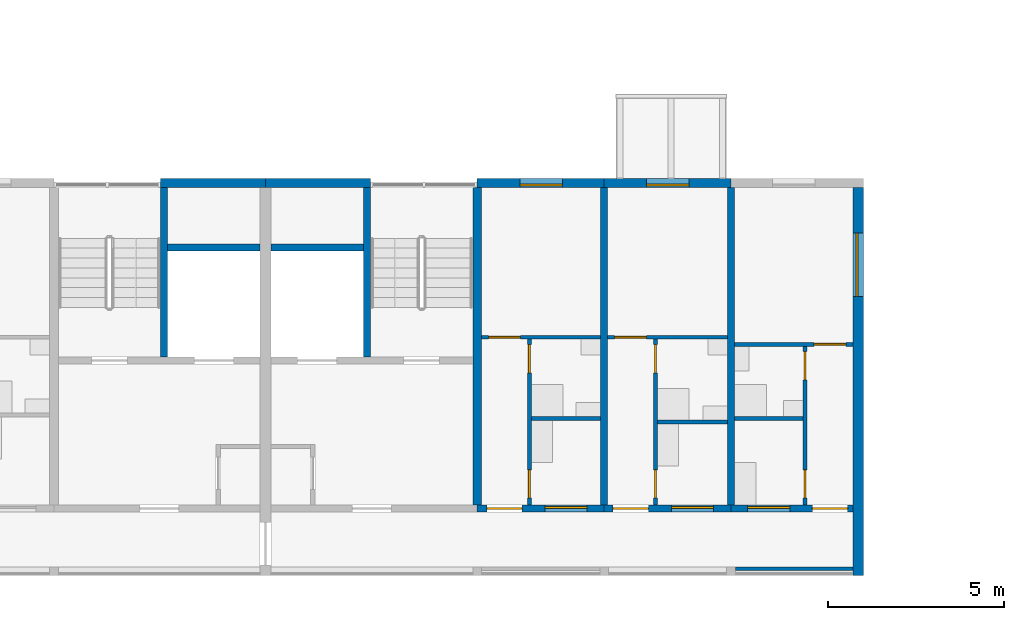
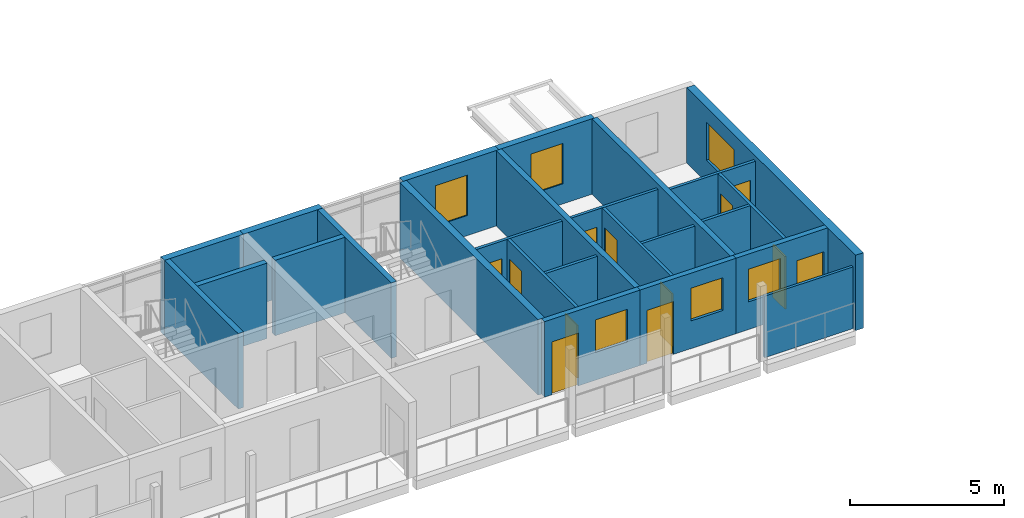
# One storey, part 39 of 94: 25 walls, 12 doors, 6 windows, 18 openings.
"""IFC4 building model written with IfcOpenShell, lengths in metres."""

from ifc_helpers import new_model, si_unit, direction, frame, frame_2d, origin, place, context, subcontext, project, spatial, rectangle, extrude, material, layer, layer_set, type_object, element, fill, save


model = new_model("IFC4")

# Units and contexts
model_context = context("Model", 3, precision=1e-05, world=origin(), true_north=direction((0.0, 1.0)))
body_context = subcontext(model_context, "Body", "Model", "MODEL_VIEW")
ifc_project = project(units=[si_unit("LENGTHUNIT", "METRE"), si_unit("AREAUNIT", "SQUARE_METRE"), si_unit("VOLUMEUNIT", "CUBIC_METRE"), si_unit("PLANEANGLEUNIT", "RADIAN"), si_unit("MASSUNIT", "GRAM", prefix="KILO")], contexts=[model_context])

# Site, building, storey
site_placement = place(None, origin())
site = spatial("IfcSite", under=ifc_project, at=site_placement, CompositionType="ELEMENT")
building_placement = place(site_placement, origin())
building = spatial("IfcBuilding", under=site, at=building_placement, Name="Ridgestep Commons", CompositionType="ELEMENT")
storey_placement = place(building_placement, frame((0.0, 0.0, 21.0)))
storey = spatial("IfcBuildingStorey", under=building, at=storey_placement, Name="L07", CompositionType="ELEMENT", Elevation=21.0)

# Walls
ifc_material_1 = material(Name="Concrete C30/37", Category="concrete")
ifc_layer_1 = layer(ifc_material_1, 0.25)
ifc_layer_set_1 = layer_set([ifc_layer_1], Name="Core cross wall 250")
wall_type_1 = type_object("IfcWallType", Name="Core cross wall 250", PredefinedType="SHEAR", material=ifc_layer_set_1)
wall_1_placement = place(storey_placement, frame((102.0, 13.75, 0.0), z_axis=(0.0, 0.0, 1.0), x_axis=(0.0, 1.0, 0.0)))
element("IfcWall", 1, at=wall_1_placement, inside=storey, type_object=wall_type_1, Name="Cross wall A-07-1020", PredefinedType="SHEAR", context=body_context, shape_type="SweptSolid", body=[
    extrude(rectangle(XDim=9.0, YDim=0.25, at=frame_2d((4.5, 0.0))), origin(), (0.0, 0.0, 1.0), 3.0),
])
ifc_material_2 = material(Name="Concrete C30/37", Category="concrete")
ifc_layer_2 = layer(ifc_material_2, 0.199951171875)
ifc_layer_set_2 = layer_set([ifc_layer_2], Name="Core wall 200")
wall_type_2 = type_object("IfcWallType", Name="Core wall 200", PredefinedType="SHEAR", material=ifc_layer_set_2)
wall_2_placement = place(storey_placement, frame((93.125, 17.949951171875, 0.0), z_axis=(0.0, 0.0, 1.0), x_axis=(0.0, 1.0, 0.0)))
element("IfcWall", 2, at=wall_2_placement, inside=storey, type_object=wall_type_2, Name="Core stair wall A5C L07", PredefinedType="SHEAR", context=body_context, shape_type="SweptSolid", body=[
    extrude(rectangle(XDim=4.800048828125, YDim=0.199951171875, at=frame_2d((2.39990234375, 0.0))), origin(), (0.0, 0.0, 1.0), 3.0),
])
wall_3_placement = place(storey_placement, frame((93.22509765625, 21.050048828125, 0.0), z_axis=(0.0, 0.0, 1.0), x_axis=(1.0, 0.0, 0.0)))
element("IfcWall", 3, at=wall_3_placement, inside=storey, type_object=wall_type_2, Name="Core duct wall A5C L07", PredefinedType="SHEAR", context=body_context, shape_type="SweptSolid", body=[
    extrude(rectangle(XDim=2.625, YDim=0.199951171875, at=frame_2d((1.3125, 0.0))), origin(), (0.0, 0.0, 1.0), 3.0),
])
wall_4_placement = place(storey_placement, frame((98.875, 17.949951171875, 0.0), z_axis=(0.0, 0.0, 1.0), x_axis=(0.0, 1.0, 0.0)))
element("IfcWall", 4, at=wall_4_placement, inside=storey, type_object=wall_type_2, Name="Core stair wall A6C L07", PredefinedType="SHEAR", context=body_context, shape_type="SweptSolid", body=[
    extrude(rectangle(XDim=4.800048828125, YDim=0.199951171875, at=frame_2d((2.39990234375, 0.0))), origin(), (0.0, 0.0, 1.0), 3.0),
])
wall_5_placement = place(storey_placement, frame((96.14990234375, 21.050048828125, 0.0), z_axis=(0.0, 0.0, 1.0), x_axis=(1.0, 0.0, 0.0)))
element("IfcWall", 5, at=wall_5_placement, inside=storey, type_object=wall_type_2, Name="Core duct wall A6C L07", PredefinedType="SHEAR", context=body_context, shape_type="SweptSolid", body=[
    extrude(rectangle(XDim=2.625, YDim=0.199951171875, at=frame_2d((1.3125, 0.0))), origin(), (0.0, 0.0, 1.0), 3.0),
])
ifc_material_3 = material(Name="Precast concrete C40/50", Category="concrete")
ifc_layer_3 = layer(ifc_material_3, 0.199951171875)
ifc_layer_set_3 = layer_set([ifc_layer_3], Name="Cross wall 200")
wall_type_3 = type_object("IfcWallType", Name="Cross wall 200", PredefinedType="SHEAR", material=ifc_layer_set_3)
for number, where, z_axis, x_axis, name in (
    (6, (105.60009765625, 13.75, 0.0), (0.0, 0.0, 1.0), (0.0, 1.0, 0.0), "Cross wall A-07-1056"),
    (7, (109.199951171875, 13.75, 0.0), (0.0, 0.0, 1.0), (0.0, 1.0, 0.0), "Cross wall A-07-1092"),
):
    element("IfcWall", number, at=place(storey_placement, frame(where, z_axis=z_axis, x_axis=x_axis)), inside=storey, type_object=wall_type_3, Name=name, PredefinedType="SHEAR", context=body_context, shape_type="SweptSolid", body=[
        extrude(rectangle(XDim=9.0, YDim=0.199951171875, at=frame_2d((4.5, 0.0))), origin(), (0.0, 0.0, 1.0), 3.0),
    ])

# Wall, opening, window
ifc_material_4 = material(Name="Precast concrete C40/50", Category="concrete")
ifc_layer_4 = layer(ifc_material_4, 0.300048828125)
ifc_layer_set_4 = layer_set([ifc_layer_4], Name="Exposed division wall 300")
wall_type_4 = type_object("IfcWallType", Name="Exposed division wall 300", PredefinedType="SHEAR", material=ifc_layer_set_4)
wall_6_placement = place(storey_placement, frame((112.800048828125, 11.75, 0.0), z_axis=(0.0, 0.0, 1.0), x_axis=(0.0, 1.0, 0.0)))
wall_6 = element("IfcWall", 8, at=wall_6_placement, inside=storey, type_object=wall_type_4, Name="Cross wall A-07-1128", PredefinedType="SHEAR", context=body_context, shape_type="SweptSolid", body=[
    extrude(rectangle(XDim=11.0, YDim=0.300048828125, at=frame_2d((5.5, 0.0))), origin(), (0.0, 0.0, 1.0), 3.0),
])
opening_1_placement = place(wall_6_placement, frame((7.905029296875, 0.0, 0.89990234375)))
opening_1 = element("IfcOpeningElement", 9, at=opening_1_placement, cuts=wall_6, Name="Opening W20", PredefinedType="OPENING", context=body_context, shape_type="SweptSolid", body=[
    extrude(rectangle(XDim=1.800048828125, YDim=1.5, at=frame_2d((0.89990234375, 0.75))), frame((0.0, 0.159912109375, 0.0), z_axis=(0.0, -1.0, 0.0), x_axis=(1.0, 0.0, 0.0)), (0.0, 0.0, 1.0), 0.320068359375),
])
ifc_material_5 = material(Name="Aluminium 6063-T6 and glass", Category="aluminium")
window_type_1 = type_object("IfcWindowType", Name="Flat window 1800 x 1500", PartitioningType="DOUBLE_PANEL_VERTICAL", PredefinedType="WINDOW", material=ifc_material_5)
window_1_placement = place(opening_1_placement, origin())
window_1 = element("IfcWindow", 10, at=window_1_placement, inside=storey, type_object=window_type_1, Name="Window A6-07a 3", OverallHeight=1.5, OverallWidth=1.800048828125, PartitioningType="SINGLE_PANEL", PredefinedType="WINDOW", context=body_context, shape_type="SweptSolid", body=[
    extrude(rectangle(XDim=1.800048828125, YDim=1.5, at=frame_2d((0.89990234375, 0.75))), frame((0.0, 0.06005859375, 0.0), z_axis=(0.0, -1.0, 0.0), x_axis=(1.0, 0.0, 0.0)), (0.0, 0.0, 1.0), 0.06005859375),
])
fill(opening_1, window_1)

# Walls
ifc_material_6 = material(Name="Precast concrete C40/50", Category="concrete")
ifc_layer_5 = layer(ifc_material_6, 0.25)
ifc_layer_set_5 = layer_set([ifc_layer_5], Name="North facade panel 250")
wall_type_5 = type_object("IfcWallType", Name="North facade panel 250", PredefinedType="SOLIDWALL", material=ifc_layer_set_5)
for number, where, z_axis, x_axis, name in (
    (11, (93.02490234375, 22.875, 0.0), (0.0, 0.0, 1.0), (1.0, 0.0, 0.0), "North panel A5C L07"),
    (12, (96.0, 22.875, 0.0), (0.0, 0.0, 1.0), (1.0, 0.0, 0.0), "North panel A6C L07"),
):
    element("IfcWall", number, at=place(storey_placement, frame(where, z_axis=z_axis, x_axis=x_axis)), inside=storey, type_object=wall_type_5, Name=name, PredefinedType="SOLIDWALL", context=body_context, shape_type="SweptSolid", body=[
        extrude(rectangle(XDim=2.97509765625, YDim=0.25, at=frame_2d((1.487548828125, 0.0))), origin(), (0.0, 0.0, 1.0), 3.0),
    ])

# Wall, opening, window
wall_7_placement = place(storey_placement, frame((102.0, 22.875, 0.0), z_axis=(0.0, 0.0, 1.0), x_axis=(1.0, 0.0, 0.0)))
wall_7 = element("IfcWall", 13, at=wall_7_placement, inside=storey, type_object=wall_type_5, Name="North panel A6T3 L07", PredefinedType="SOLIDWALL", context=body_context, shape_type="SweptSolid", body=[
    extrude(rectangle(XDim=3.60009765625, YDim=0.25, at=frame_2d((1.800048828125, 0.0))), origin(), (0.0, 0.0, 1.0), 3.0),
])
opening_2_placement = place(wall_7_placement, frame((1.21240234375, 0.0, 0.800048828125)))
opening_2 = element("IfcOpeningElement", 14, at=opening_2_placement, cuts=wall_7, Name="Opening W11", PredefinedType="OPENING", context=body_context, shape_type="SweptSolid", body=[
    extrude(rectangle(XDim=1.199951171875, YDim=1.60009765625, at=frame_2d((0.60009765625, 0.800048828125))), frame((0.0, 0.135009765625, 0.0), z_axis=(0.0, -1.0, 0.0), x_axis=(1.0, 0.0, 0.0)), (0.0, 0.0, 1.0), 0.27001953125),
])
ifc_material_7 = material(Name="Aluminium 6063-T6 and glass", Category="aluminium")
window_type_2 = type_object("IfcWindowType", Name="Flat window 1200 x 1600", PartitioningType="SINGLE_PANEL", PredefinedType="WINDOW", material=ifc_material_7)
window_2_placement = place(opening_2_placement, origin())
window_2 = element("IfcWindow", 15, at=window_2_placement, inside=storey, type_object=window_type_2, Name="Window A6-07c 2", OverallHeight=1.60009765625, OverallWidth=1.199951171875, PartitioningType="SINGLE_PANEL", PredefinedType="WINDOW", context=body_context, shape_type="SweptSolid", body=[
    extrude(rectangle(XDim=1.199951171875, YDim=1.60009765625, at=frame_2d((0.60009765625, 0.800048828125))), frame((0.0, -0.02490234375, 0.0), z_axis=(0.0, -1.0, 0.0), x_axis=(1.0, 0.0, 0.0)), (0.0, 0.0, 1.0), 0.06005859375),
])
fill(opening_2, window_2)

wall_8_placement = place(storey_placement, frame((105.60009765625, 22.875, 0.0), z_axis=(0.0, 0.0, 1.0), x_axis=(1.0, 0.0, 0.0)))
wall_8 = element("IfcWall", 16, at=wall_8_placement, inside=storey, type_object=wall_type_5, Name="North panel A6T2 L07", PredefinedType="SOLIDWALL", context=body_context, shape_type="SweptSolid", body=[
    extrude(rectangle(XDim=3.599853515625, YDim=0.25, at=frame_2d((1.7998046875, 0.0))), origin(), (0.0, 0.0, 1.0), 3.0),
])
opening_3_placement = place(wall_8_placement, frame((1.199951171875, 0.0, 0.800048828125)))
opening_3 = element("IfcOpeningElement", 17, at=opening_3_placement, cuts=wall_8, Name="Opening W11", PredefinedType="OPENING", context=body_context, shape_type="SweptSolid", body=[
    extrude(rectangle(XDim=1.199951171875, YDim=1.60009765625, at=frame_2d((0.60009765625, 0.800048828125))), frame((0.0, 0.135009765625, 0.0), z_axis=(0.0, -1.0, 0.0), x_axis=(1.0, 0.0, 0.0)), (0.0, 0.0, 1.0), 0.27001953125),
])
window_3_placement = place(opening_3_placement, origin())
window_3 = element("IfcWindow", 18, at=window_3_placement, inside=storey, type_object=window_type_2, Name="Window A6-07b 2", OverallHeight=1.60009765625, OverallWidth=1.199951171875, PartitioningType="SINGLE_PANEL", PredefinedType="WINDOW", context=body_context, shape_type="SweptSolid", body=[
    extrude(rectangle(XDim=1.199951171875, YDim=1.60009765625, at=frame_2d((0.60009765625, 0.800048828125))), frame((0.0, -0.02490234375, 0.0), z_axis=(0.0, -1.0, 0.0), x_axis=(1.0, 0.0, 0.0)), (0.0, 0.0, 1.0), 0.06005859375),
])
fill(opening_3, window_3)

# Wall
ifc_material_8 = material(Name="Common brick 110 mm", Category="masonry")
ifc_layer_6 = layer(ifc_material_8, 0.110107421875)
ifc_layer_set_6 = layer_set([ifc_layer_6], Name="Partition 110")
wall_type_6 = type_object("IfcWallType", Name="Partition 110", PredefinedType="PARTITIONING", material=ifc_layer_set_6)
wall_9_placement = place(storey_placement, frame((109.300048828125, 16.205078125, 0.0), z_axis=(0.0, 0.0, 1.0), x_axis=(1.0, 0.0, 0.0)))
element("IfcWall", 19, at=wall_9_placement, inside=storey, type_object=wall_type_6, Name="Partition A6-07a", PredefinedType="PARTITIONING", context=body_context, shape_type="SweptSolid", body=[
    extrude(rectangle(XDim=1.93994140625, YDim=0.110107421875, at=frame_2d((0.969970703125, 0.0))), origin(), (0.0, 0.0, 1.0), 2.800048828125),
])

# Wall, openings, doors
wall_10_placement = place(storey_placement, frame((111.294921875, 13.75, 0.0), z_axis=(0.0, 0.0, 1.0), x_axis=(0.0, 1.0, 0.0)))
wall_10 = element("IfcWall", 20, at=wall_10_placement, inside=storey, type_object=wall_type_6, Name="Partition A6-07a", PredefinedType="PARTITIONING", context=body_context, shape_type="SweptSolid", body=[
    extrude(rectangle(XDim=4.5, YDim=0.110107421875, at=frame_2d((2.25, 0.0))), origin(), (0.0, 0.0, 1.0), 2.800048828125),
])
opening_4_placement = place(wall_10_placement, frame((0.199951171875, 0.0, 0.0)))
opening_4 = element("IfcOpeningElement", 21, at=opening_4_placement, cuts=wall_10, Name="Opening A6-07a/2", PredefinedType="OPENING", context=body_context, shape_type="SweptSolid", body=[
    extrude(rectangle(XDim=0.800048828125, YDim=2.10009765625, at=frame_2d((0.39990234375, 1.050048828125))), frame((0.0, 0.06494140625, 0.0), z_axis=(0.0, -1.0, 0.0), x_axis=(1.0, 0.0, 0.0)), (0.0, 0.0, 1.0), 0.130126953125),
])
opening_5_placement = place(wall_10_placement, frame((3.550048828125, 0.0, 0.0)))
opening_5 = element("IfcOpeningElement", 22, at=opening_5_placement, cuts=wall_10, Name="Opening A6-07a/3", PredefinedType="OPENING", context=body_context, shape_type="SweptSolid", body=[
    extrude(rectangle(XDim=0.800048828125, YDim=2.10009765625, at=frame_2d((0.39990234375, 1.050048828125))), frame((0.0, 0.06494140625, 0.0), z_axis=(0.0, -1.0, 0.0), x_axis=(1.0, 0.0, 0.0)), (0.0, 0.0, 1.0), 0.130126953125),
])
ifc_material_9 = material(Name="Timber door leaf", Category="wood")
door_type_1 = type_object("IfcDoorType", Name="Internal door 800 x 2100", OperationType="NOTDEFINED", PredefinedType="DOOR", material=ifc_material_9)
door_1_placement = place(opening_4_placement, origin())
door_1 = element("IfcDoor", 23, at=door_1_placement, inside=storey, type_object=door_type_1, Name="Internal door A6-07a/2", OperationType="SINGLE_SWING_LEFT", OverallHeight=2.10009765625, OverallWidth=0.800048828125, PredefinedType="DOOR", context=body_context, shape_type="SweptSolid", body=[
    extrude(rectangle(XDim=0.800048828125, YDim=2.10009765625, at=frame_2d((0.39990234375, 1.050048828125))), frame((0.0, 0.02490234375, 0.0), z_axis=(0.0, -1.0, 0.0), x_axis=(1.0, 0.0, 0.0)), (0.0, 0.0, 1.0), 0.050048828125),
])
fill(opening_4, door_1)
door_2_placement = place(opening_5_placement, origin())
door_2 = element("IfcDoor", 24, at=door_2_placement, inside=storey, type_object=door_type_1, Name="Internal door A6-07a/3", OperationType="SINGLE_SWING_RIGHT", OverallHeight=2.10009765625, OverallWidth=0.800048828125, PredefinedType="DOOR", context=body_context, shape_type="SweptSolid", body=[
    extrude(rectangle(XDim=0.800048828125, YDim=2.10009765625, at=frame_2d((0.39990234375, 1.050048828125))), frame((0.0, 0.02490234375, 0.0), z_axis=(0.0, -1.0, 0.0), x_axis=(1.0, 0.0, 0.0)), (0.0, 0.0, 1.0), 0.050048828125),
])
fill(opening_5, door_2)

# Wall, opening, door
wall_11_placement = place(storey_placement, frame((109.300048828125, 18.304931640625, 0.0), z_axis=(0.0, 0.0, 1.0), x_axis=(1.0, 0.0, 0.0)))
wall_11 = element("IfcWall", 25, at=wall_11_placement, inside=storey, type_object=wall_type_6, Name="Partition A6-07a", PredefinedType="PARTITIONING", context=body_context, shape_type="SweptSolid", body=[
    extrude(rectangle(XDim=3.349853515625, YDim=0.110107421875, at=frame_2d((1.6748046875, 0.0))), origin(), (0.0, 0.0, 1.0), 2.800048828125),
])
opening_6_placement = place(wall_11_placement, frame((2.25, 0.0, 0.0)))
opening_6 = element("IfcOpeningElement", 26, at=opening_6_placement, cuts=wall_11, Name="Opening A6-07a/4", PredefinedType="OPENING", context=body_context, shape_type="SweptSolid", body=[
    extrude(rectangle(XDim=0.89990234375, YDim=2.10009765625, at=frame_2d((0.449951171875, 1.050048828125))), frame((0.0, 0.06494140625, 0.0), z_axis=(0.0, -1.0, 0.0), x_axis=(1.0, 0.0, 0.0)), (0.0, 0.0, 1.0), 0.130126953125),
])
ifc_material_10 = material(Name="Timber door leaf", Category="wood")
door_type_2 = type_object("IfcDoorType", Name="Internal door 900 x 2100", OperationType="NOTDEFINED", PredefinedType="DOOR", material=ifc_material_10)
door_3_placement = place(opening_6_placement, origin())
door_3 = element("IfcDoor", 27, at=door_3_placement, inside=storey, type_object=door_type_2, Name="Internal door A6-07a/4", OperationType="SINGLE_SWING_RIGHT", OverallHeight=2.10009765625, OverallWidth=0.89990234375, PredefinedType="DOOR", context=body_context, shape_type="SweptSolid", body=[
    extrude(rectangle(XDim=0.89990234375, YDim=2.10009765625, at=frame_2d((0.449951171875, 1.050048828125))), frame((0.0, 0.02490234375, 0.0), z_axis=(0.0, -1.0, 0.0), x_axis=(1.0, 0.0, 0.0)), (0.0, 0.0, 1.0), 0.050048828125),
])
fill(opening_6, door_3)

# Wall, openings, doors
wall_12_placement = place(storey_placement, frame((107.054931640625, 13.75, 0.0), z_axis=(0.0, 0.0, 1.0), x_axis=(0.0, 1.0, 0.0)))
wall_12 = element("IfcWall", 28, at=wall_12_placement, inside=storey, type_object=wall_type_6, Name="Partition A6-07b", PredefinedType="PARTITIONING", context=body_context, shape_type="SweptSolid", body=[
    extrude(rectangle(XDim=4.699951171875, YDim=0.110107421875, at=frame_2d((2.35009765625, 0.0))), origin(), (0.0, 0.0, 1.0), 2.800048828125),
])
opening_7_placement = place(wall_12_placement, frame((0.199951171875, 0.0, 0.0)))
opening_7 = element("IfcOpeningElement", 29, at=opening_7_placement, cuts=wall_12, Name="Opening A6-07b/2", PredefinedType="OPENING", context=body_context, shape_type="SweptSolid", body=[
    extrude(rectangle(XDim=0.800048828125, YDim=2.10009765625, at=frame_2d((0.39990234375, 1.050048828125))), frame((0.0, 0.06494140625, 0.0), z_axis=(0.0, -1.0, 0.0), x_axis=(1.0, 0.0, 0.0)), (0.0, 0.0, 1.0), 0.130126953125),
])
opening_8_placement = place(wall_12_placement, frame((3.75, 0.0, 0.0)))
opening_8 = element("IfcOpeningElement", 30, at=opening_8_placement, cuts=wall_12, Name="Opening A6-07b/3", PredefinedType="OPENING", context=body_context, shape_type="SweptSolid", body=[
    extrude(rectangle(XDim=0.800048828125, YDim=2.10009765625, at=frame_2d((0.39990234375, 1.050048828125))), frame((0.0, 0.06494140625, 0.0), z_axis=(0.0, -1.0, 0.0), x_axis=(1.0, 0.0, 0.0)), (0.0, 0.0, 1.0), 0.130126953125),
])
door_4_placement = place(opening_7_placement, origin())
door_4 = element("IfcDoor", 31, at=door_4_placement, inside=storey, type_object=door_type_1, Name="Internal door A6-07b/2", OperationType="SINGLE_SWING_RIGHT", OverallHeight=2.10009765625, OverallWidth=0.800048828125, PredefinedType="DOOR", context=body_context, shape_type="SweptSolid", body=[
    extrude(rectangle(XDim=0.800048828125, YDim=2.10009765625, at=frame_2d((0.39990234375, 1.050048828125))), frame((0.0, 0.02490234375, 0.0), z_axis=(0.0, -1.0, 0.0), x_axis=(1.0, 0.0, 0.0)), (0.0, 0.0, 1.0), 0.050048828125),
])
fill(opening_7, door_4)
door_5_placement = place(opening_8_placement, origin())
door_5 = element("IfcDoor", 32, at=door_5_placement, inside=storey, type_object=door_type_1, Name="Internal door A6-07b/3", OperationType="SINGLE_SWING_LEFT", OverallHeight=2.10009765625, OverallWidth=0.800048828125, PredefinedType="DOOR", context=body_context, shape_type="SweptSolid", body=[
    extrude(rectangle(XDim=0.800048828125, YDim=2.10009765625, at=frame_2d((0.39990234375, 1.050048828125))), frame((0.0, 0.02490234375, 0.0), z_axis=(0.0, -1.0, 0.0), x_axis=(1.0, 0.0, 0.0)), (0.0, 0.0, 1.0), 0.050048828125),
])
fill(opening_8, door_5)

# Wall
wall_13_placement = place(storey_placement, frame((107.110107421875, 16.10498046875, 0.0), z_axis=(0.0, 0.0, 1.0), x_axis=(1.0, 0.0, 0.0)))
element("IfcWall", 33, at=wall_13_placement, inside=storey, type_object=wall_type_6, Name="Partition A6-07b", PredefinedType="PARTITIONING", context=body_context, shape_type="SweptSolid", body=[
    extrude(rectangle(XDim=1.989990234375, YDim=0.110107421875, at=frame_2d((0.9951171875, 0.0))), origin(), (0.0, 0.0, 1.0), 2.800048828125),
])

# Wall, opening, door
wall_14_placement = place(storey_placement, frame((105.699951171875, 18.5048828125, 0.0), z_axis=(0.0, 0.0, 1.0), x_axis=(1.0, 0.0, 0.0)))
wall_14 = element("IfcWall", 34, at=wall_14_placement, inside=storey, type_object=wall_type_6, Name="Partition A6-07b", PredefinedType="PARTITIONING", context=body_context, shape_type="SweptSolid", body=[
    extrude(rectangle(XDim=3.400146484375, YDim=0.110107421875, at=frame_2d((1.7001953125, 0.0))), origin(), (0.0, 0.0, 1.0), 2.800048828125),
])
opening_9_placement = place(wall_14_placement, frame((0.199951171875, 0.0, 0.0)))
opening_9 = element("IfcOpeningElement", 35, at=opening_9_placement, cuts=wall_14, Name="Opening A6-07b/4", PredefinedType="OPENING", context=body_context, shape_type="SweptSolid", body=[
    extrude(rectangle(XDim=0.89990234375, YDim=2.10009765625, at=frame_2d((0.449951171875, 1.050048828125))), frame((0.0, 0.06494140625, 0.0), z_axis=(0.0, -1.0, 0.0), x_axis=(1.0, 0.0, 0.0)), (0.0, 0.0, 1.0), 0.130126953125),
])
door_6_placement = place(opening_9_placement, origin())
door_6 = element("IfcDoor", 36, at=door_6_placement, inside=storey, type_object=door_type_2, Name="Internal door A6-07b/4", OperationType="SINGLE_SWING_RIGHT", OverallHeight=2.10009765625, OverallWidth=0.89990234375, PredefinedType="DOOR", context=body_context, shape_type="SweptSolid", body=[
    extrude(rectangle(XDim=0.89990234375, YDim=2.10009765625, at=frame_2d((0.449951171875, 1.050048828125))), frame((0.0, 0.02490234375, 0.0), z_axis=(0.0, -1.0, 0.0), x_axis=(1.0, 0.0, 0.0)), (0.0, 0.0, 1.0), 0.050048828125),
])
fill(opening_9, door_6)

# Wall, openings, doors
wall_15_placement = place(storey_placement, frame((103.47998046875, 13.75, 0.0), z_axis=(0.0, 0.0, 1.0), x_axis=(0.0, 1.0, 0.0)))
wall_15 = element("IfcWall", 37, at=wall_15_placement, inside=storey, type_object=wall_type_6, Name="Partition A6-07c", PredefinedType="PARTITIONING", context=body_context, shape_type="SweptSolid", body=[
    extrude(rectangle(XDim=4.699951171875, YDim=0.110107421875, at=frame_2d((2.35009765625, 0.0))), origin(), (0.0, 0.0, 1.0), 2.800048828125),
])
opening_10_placement = place(wall_15_placement, frame((0.199951171875, 0.0, 0.0)))
opening_10 = element("IfcOpeningElement", 38, at=opening_10_placement, cuts=wall_15, Name="Opening A6-07c/2", PredefinedType="OPENING", context=body_context, shape_type="SweptSolid", body=[
    extrude(rectangle(XDim=0.800048828125, YDim=2.10009765625, at=frame_2d((0.39990234375, 1.050048828125))), frame((0.0, 0.06494140625, 0.0), z_axis=(0.0, -1.0, 0.0), x_axis=(1.0, 0.0, 0.0)), (0.0, 0.0, 1.0), 0.130126953125),
])
opening_11_placement = place(wall_15_placement, frame((3.75, 0.0, 0.0)))
opening_11 = element("IfcOpeningElement", 39, at=opening_11_placement, cuts=wall_15, Name="Opening A6-07c/3", PredefinedType="OPENING", context=body_context, shape_type="SweptSolid", body=[
    extrude(rectangle(XDim=0.800048828125, YDim=2.10009765625, at=frame_2d((0.39990234375, 1.050048828125))), frame((0.0, 0.06494140625, 0.0), z_axis=(0.0, -1.0, 0.0), x_axis=(1.0, 0.0, 0.0)), (0.0, 0.0, 1.0), 0.130126953125),
])
door_7_placement = place(opening_10_placement, origin())
door_7 = element("IfcDoor", 40, at=door_7_placement, inside=storey, type_object=door_type_1, Name="Internal door A6-07c/2", OperationType="SINGLE_SWING_RIGHT", OverallHeight=2.10009765625, OverallWidth=0.800048828125, PredefinedType="DOOR", context=body_context, shape_type="SweptSolid", body=[
    extrude(rectangle(XDim=0.800048828125, YDim=2.10009765625, at=frame_2d((0.39990234375, 1.050048828125))), frame((0.0, 0.02490234375, 0.0), z_axis=(0.0, -1.0, 0.0), x_axis=(1.0, 0.0, 0.0)), (0.0, 0.0, 1.0), 0.050048828125),
])
fill(opening_10, door_7)
door_8_placement = place(opening_11_placement, origin())
door_8 = element("IfcDoor", 41, at=door_8_placement, inside=storey, type_object=door_type_1, Name="Internal door A6-07c/3", OperationType="SINGLE_SWING_LEFT", OverallHeight=2.10009765625, OverallWidth=0.800048828125, PredefinedType="DOOR", context=body_context, shape_type="SweptSolid", body=[
    extrude(rectangle(XDim=0.800048828125, YDim=2.10009765625, at=frame_2d((0.39990234375, 1.050048828125))), frame((0.0, 0.02490234375, 0.0), z_axis=(0.0, -1.0, 0.0), x_axis=(1.0, 0.0, 0.0)), (0.0, 0.0, 1.0), 0.050048828125),
])
fill(opening_11, door_8)

# Wall
wall_16_placement = place(storey_placement, frame((103.534912109375, 16.205078125, 0.0), z_axis=(0.0, 0.0, 1.0), x_axis=(1.0, 0.0, 0.0)))
element("IfcWall", 42, at=wall_16_placement, inside=storey, type_object=wall_type_6, Name="Partition A6-07c", PredefinedType="PARTITIONING", context=body_context, shape_type="SweptSolid", body=[
    extrude(rectangle(XDim=1.965087890625, YDim=0.110107421875, at=frame_2d((0.982421875, 0.0))), origin(), (0.0, 0.0, 1.0), 2.800048828125),
])

# Wall, opening, door
wall_17_placement = place(storey_placement, frame((102.125, 18.5048828125, 0.0), z_axis=(0.0, 0.0, 1.0), x_axis=(1.0, 0.0, 0.0)))
wall_17 = element("IfcWall", 43, at=wall_17_placement, inside=storey, type_object=wall_type_6, Name="Partition A6-07c", PredefinedType="PARTITIONING", context=body_context, shape_type="SweptSolid", body=[
    extrude(rectangle(XDim=3.375, YDim=0.110107421875, at=frame_2d((1.6875, 0.0))), origin(), (0.0, 0.0, 1.0), 2.800048828125),
])
opening_12_placement = place(wall_17_placement, frame((0.199951171875, 0.0, 0.0)))
opening_12 = element("IfcOpeningElement", 44, at=opening_12_placement, cuts=wall_17, Name="Opening A6-07c/4", PredefinedType="OPENING", context=body_context, shape_type="SweptSolid", body=[
    extrude(rectangle(XDim=0.89990234375, YDim=2.10009765625, at=frame_2d((0.449951171875, 1.050048828125))), frame((0.0, 0.06494140625, 0.0), z_axis=(0.0, -1.0, 0.0), x_axis=(1.0, 0.0, 0.0)), (0.0, 0.0, 1.0), 0.130126953125),
])
door_9_placement = place(opening_12_placement, origin())
door_9 = element("IfcDoor", 45, at=door_9_placement, inside=storey, type_object=door_type_2, Name="Internal door A6-07c/4", OperationType="SINGLE_SWING_RIGHT", OverallHeight=2.10009765625, OverallWidth=0.89990234375, PredefinedType="DOOR", context=body_context, shape_type="SweptSolid", body=[
    extrude(rectangle(XDim=0.89990234375, YDim=2.10009765625, at=frame_2d((0.449951171875, 1.050048828125))), frame((0.0, 0.02490234375, 0.0), z_axis=(0.0, -1.0, 0.0), x_axis=(1.0, 0.0, 0.0)), (0.0, 0.0, 1.0), 0.050048828125),
])
fill(opening_12, door_9)

# Wall
ifc_material_11 = material(Name="Precast concrete C30/37", Category="concrete")
ifc_layer_7 = layer(ifc_material_11, 0.10009765625)
ifc_layer_set_7 = layer_set([ifc_layer_7], Name="Perforated gallery screen 3325 x 2450 x 100")
wall_type_7 = type_object("IfcWallType", Name="Perforated gallery screen 3325 x 2450 x 100", PredefinedType="SOLIDWALL", material=ifc_layer_set_7)
wall_18_placement = place(storey_placement, frame((109.324951171875, 11.949951171875, 0.0), z_axis=(0.0, 0.0, 1.0), x_axis=(1.0, 0.0, 0.0)))
element("IfcWall", 46, at=wall_18_placement, inside=storey, type_object=wall_type_7, Name="Gallery screen A6T1 07", PredefinedType="SOLIDWALL", context=body_context, shape_type="SweptSolid", body=[
    extrude(rectangle(XDim=3.324951171875, YDim=0.10009765625, at=frame_2d((1.66259765625, 0.0))), origin(), (0.0, 0.0, 1.0), 2.449951171875),
])

# Wall, openings, door, window
ifc_material_12 = material(Name="Precast concrete C40/50", Category="concrete")
ifc_layer_8 = layer(ifc_material_12, 0.199951171875)
ifc_layer_set_8 = layer_set([ifc_layer_8], Name="South facade panel 200")
wall_type_8 = type_object("IfcWallType", Name="South facade panel 200", PredefinedType="SOLIDWALL", material=ifc_layer_set_8)
wall_19_placement = place(storey_placement, frame((102.0, 13.64990234375, 0.0), z_axis=(0.0, 0.0, 1.0), x_axis=(1.0, 0.0, 0.0)))
wall_19 = element("IfcWall", 47, at=wall_19_placement, inside=storey, type_object=wall_type_8, Name="South panel A6T3 L07", PredefinedType="SOLIDWALL", context=body_context, shape_type="SweptSolid", body=[
    extrude(rectangle(XDim=3.60009765625, YDim=0.199951171875, at=frame_2d((1.800048828125, 0.0))), origin(), (0.0, 0.0, 1.0), 3.0),
])
opening_13_placement = place(wall_19_placement, frame((1.91748046875, 0.0, 1.10009765625)))
opening_13 = element("IfcOpeningElement", 48, at=opening_13_placement, cuts=wall_19, Name="Opening W08", PredefinedType="OPENING", context=body_context, shape_type="SweptSolid", body=[
    extrude(rectangle(XDim=1.199951171875, YDim=1.300048828125, at=frame_2d((0.60009765625, 0.64990234375))), frame((0.0, 0.10986328125, 0.0), z_axis=(0.0, -1.0, 0.0), x_axis=(1.0, 0.0, 0.0)), (0.0, 0.0, 1.0), 0.219970703125),
])
opening_14_placement = place(wall_19_placement, frame((0.27490234375, 0.0, 0.0)))
opening_14 = element("IfcOpeningElement", 49, at=opening_14_placement, cuts=wall_19, Name="Opening A6-07c/1", PredefinedType="OPENING", context=body_context, shape_type="SweptSolid", body=[
    extrude(rectangle(XDim=1.0, YDim=2.10009765625, at=frame_2d((0.5, 1.050048828125))), frame((0.0, 0.10986328125, 0.0), z_axis=(0.0, -1.0, 0.0), x_axis=(1.0, 0.0, 0.0)), (0.0, 0.0, 1.0), 0.219970703125),
])
ifc_material_13 = material(Name="Timber door leaf", Category="wood")
door_type_3 = type_object("IfcDoorType", Name="Flat entrance door 1000 x 2100 FD30S", OperationType="NOTDEFINED", PredefinedType="DOOR", material=ifc_material_13)
door_10_placement = place(opening_14_placement, origin())
door_10 = element("IfcDoor", 50, at=door_10_placement, inside=storey, type_object=door_type_3, Name="Flat entrance door A6-07c/1", OperationType="SINGLE_SWING_LEFT", OverallHeight=2.10009765625, OverallWidth=1.0, PredefinedType="DOOR", context=body_context, shape_type="SweptSolid", body=[
    extrude(rectangle(XDim=1.0, YDim=2.10009765625, at=frame_2d((0.5, 1.050048828125))), frame((0.0, 0.02490234375, 0.0), z_axis=(0.0, -1.0, 0.0), x_axis=(1.0, 0.0, 0.0)), (0.0, 0.0, 1.0), 0.050048828125),
])
fill(opening_14, door_10)
ifc_material_14 = material(Name="Aluminium 6063-T6 and glass", Category="aluminium")
window_type_3 = type_object("IfcWindowType", Name="Flat window 1200 x 1300", PartitioningType="SINGLE_PANEL", PredefinedType="WINDOW", material=ifc_material_14)
window_4_placement = place(opening_13_placement, origin())
window_4 = element("IfcWindow", 51, at=window_4_placement, inside=storey, type_object=window_type_3, Name="Window A6-07c 1", OverallHeight=1.300048828125, OverallWidth=1.199951171875, PartitioningType="SINGLE_PANEL", PredefinedType="WINDOW", context=body_context, shape_type="SweptSolid", body=[
    extrude(rectangle(XDim=1.199951171875, YDim=1.300048828125, at=frame_2d((0.60009765625, 0.64990234375))), frame((0.0, 0.06005859375, 0.0), z_axis=(0.0, -1.0, 0.0), x_axis=(1.0, 0.0, 0.0)), (0.0, 0.0, 1.0), 0.06005859375),
])
fill(opening_13, window_4)

wall_20_placement = place(storey_placement, frame((105.60009765625, 13.64990234375, 0.0), z_axis=(0.0, 0.0, 1.0), x_axis=(1.0, 0.0, 0.0)))
wall_20 = element("IfcWall", 52, at=wall_20_placement, inside=storey, type_object=wall_type_8, Name="South panel A6T2 L07", PredefinedType="SOLIDWALL", context=body_context, shape_type="SweptSolid", body=[
    extrude(rectangle(XDim=3.599853515625, YDim=0.199951171875, at=frame_2d((1.7998046875, 0.0))), origin(), (0.0, 0.0, 1.0), 3.0),
])
opening_15_placement = place(wall_20_placement, frame((1.905029296875, 0.0, 1.10009765625)))
opening_15 = element("IfcOpeningElement", 53, at=opening_15_placement, cuts=wall_20, Name="Opening W08", PredefinedType="OPENING", context=body_context, shape_type="SweptSolid", body=[
    extrude(rectangle(XDim=1.199951171875, YDim=1.300048828125, at=frame_2d((0.60009765625, 0.64990234375))), frame((0.0, 0.10986328125, 0.0), z_axis=(0.0, -1.0, 0.0), x_axis=(1.0, 0.0, 0.0)), (0.0, 0.0, 1.0), 0.219970703125),
])
opening_16_placement = place(wall_20_placement, frame((0.25, 0.0, 0.0)))
opening_16 = element("IfcOpeningElement", 54, at=opening_16_placement, cuts=wall_20, Name="Opening A6-07b/1", PredefinedType="OPENING", context=body_context, shape_type="SweptSolid", body=[
    extrude(rectangle(XDim=1.0, YDim=2.10009765625, at=frame_2d((0.5, 1.050048828125))), frame((0.0, 0.10986328125, 0.0), z_axis=(0.0, -1.0, 0.0), x_axis=(1.0, 0.0, 0.0)), (0.0, 0.0, 1.0), 0.219970703125),
])
door_11_placement = place(opening_16_placement, origin())
door_11 = element("IfcDoor", 55, at=door_11_placement, inside=storey, type_object=door_type_3, Name="Flat entrance door A6-07b/1", OperationType="SINGLE_SWING_LEFT", OverallHeight=2.10009765625, OverallWidth=1.0, PredefinedType="DOOR", context=body_context, shape_type="SweptSolid", body=[
    extrude(rectangle(XDim=1.0, YDim=2.10009765625, at=frame_2d((0.5, 1.050048828125))), frame((0.0, 0.02490234375, 0.0), z_axis=(0.0, -1.0, 0.0), x_axis=(1.0, 0.0, 0.0)), (0.0, 0.0, 1.0), 0.050048828125),
])
fill(opening_16, door_11)
window_5_placement = place(opening_15_placement, origin())
window_5 = element("IfcWindow", 56, at=window_5_placement, inside=storey, type_object=window_type_3, Name="Window A6-07b 1", OverallHeight=1.300048828125, OverallWidth=1.199951171875, PartitioningType="SINGLE_PANEL", PredefinedType="WINDOW", context=body_context, shape_type="SweptSolid", body=[
    extrude(rectangle(XDim=1.199951171875, YDim=1.300048828125, at=frame_2d((0.60009765625, 0.64990234375))), frame((0.0, 0.06005859375, 0.0), z_axis=(0.0, -1.0, 0.0), x_axis=(1.0, 0.0, 0.0)), (0.0, 0.0, 1.0), 0.06005859375),
])
fill(opening_15, window_5)

wall_21_placement = place(storey_placement, frame((109.199951171875, 13.64990234375, 0.0), z_axis=(0.0, 0.0, 1.0), x_axis=(1.0, 0.0, 0.0)))
wall_21 = element("IfcWall", 57, at=wall_21_placement, inside=storey, type_object=wall_type_8, Name="South panel A6T1 L07", PredefinedType="SOLIDWALL", context=body_context, shape_type="SweptSolid", body=[
    extrude(rectangle(XDim=3.449951171875, YDim=0.199951171875, at=frame_2d((1.72509765625, 0.0))), origin(), (0.0, 0.0, 1.0), 3.0),
])
opening_17_placement = place(wall_21_placement, frame((0.469970703125, 0.0, 1.10009765625)))
opening_17 = element("IfcOpeningElement", 58, at=opening_17_placement, cuts=wall_21, Name="Opening W08", PredefinedType="OPENING", context=body_context, shape_type="SweptSolid", body=[
    extrude(rectangle(XDim=1.199951171875, YDim=1.300048828125, at=frame_2d((0.60009765625, 0.64990234375))), frame((0.0, 0.10986328125, 0.0), z_axis=(0.0, -1.0, 0.0), x_axis=(1.0, 0.0, 0.0)), (0.0, 0.0, 1.0), 0.219970703125),
])
opening_18_placement = place(wall_21_placement, frame((2.300048828125, 0.0, 0.0)))
opening_18 = element("IfcOpeningElement", 59, at=opening_18_placement, cuts=wall_21, Name="Opening A6-07a/1", PredefinedType="OPENING", context=body_context, shape_type="SweptSolid", body=[
    extrude(rectangle(XDim=1.0, YDim=2.10009765625, at=frame_2d((0.5, 1.050048828125))), frame((0.0, 0.10986328125, 0.0), z_axis=(0.0, -1.0, 0.0), x_axis=(1.0, 0.0, 0.0)), (0.0, 0.0, 1.0), 0.219970703125),
])
door_12_placement = place(opening_18_placement, origin())
door_12 = element("IfcDoor", 60, at=door_12_placement, inside=storey, type_object=door_type_3, Name="Flat entrance door A6-07a/1", OperationType="SINGLE_SWING_RIGHT", OverallHeight=2.10009765625, OverallWidth=1.0, PredefinedType="DOOR", context=body_context, shape_type="SweptSolid", body=[
    extrude(rectangle(XDim=1.0, YDim=2.10009765625, at=frame_2d((0.5, 1.050048828125))), frame((0.0, 0.02490234375, 0.0), z_axis=(0.0, -1.0, 0.0), x_axis=(1.0, 0.0, 0.0)), (0.0, 0.0, 1.0), 0.050048828125),
])
fill(opening_18, door_12)
window_6_placement = place(opening_17_placement, origin())
window_6 = element("IfcWindow", 61, at=window_6_placement, inside=storey, type_object=window_type_3, Name="Window A6-07a 1", OverallHeight=1.300048828125, OverallWidth=1.199951171875, PartitioningType="SINGLE_PANEL", PredefinedType="WINDOW", context=body_context, shape_type="SweptSolid", body=[
    extrude(rectangle(XDim=1.199951171875, YDim=1.300048828125, at=frame_2d((0.60009765625, 0.64990234375))), frame((0.0, 0.06005859375, 0.0), z_axis=(0.0, -1.0, 0.0), x_axis=(1.0, 0.0, 0.0)), (0.0, 0.0, 1.0), 0.06005859375),
])
fill(opening_17, window_6)

save(model, "model.ifc")
